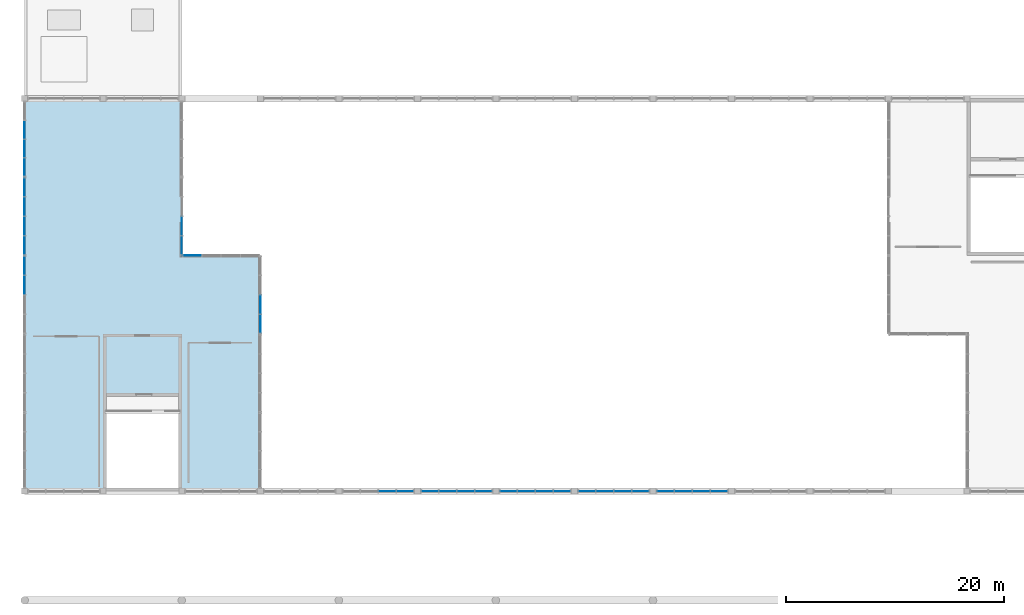
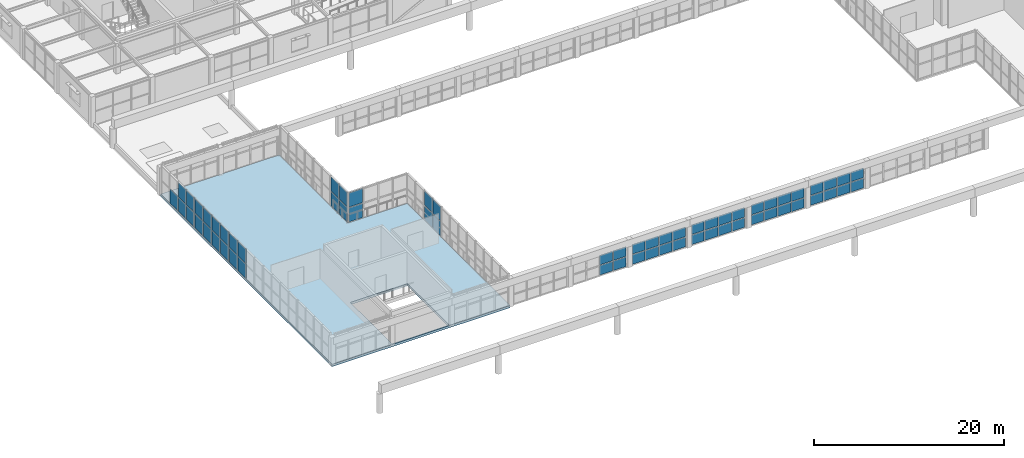
# One storey, part 51 of 83: 63 plates, 1 slab, 11 elements without a shape of their own.
"""IFC4 building model written with IfcOpenShell, lengths in metres."""

from ifc_helpers import new_model, si_unit, direction, frame, origin, origin_2d, place, context, subcontext, project, spatial, polyline, rectangle, outline, extrude, material, layer, layer_set, type_object, element, aggregate, save


model = new_model("IFC4")

# Units and contexts
model_context = context("Model", 3, precision=1e-05, world=origin(), true_north=direction((0.0, 1.0)))
body_context = subcontext(model_context, "Body", "Model", "MODEL_VIEW")
ifc_project = project(units=[si_unit("LENGTHUNIT", "METRE"), si_unit("AREAUNIT", "SQUARE_METRE"), si_unit("VOLUMEUNIT", "CUBIC_METRE"), si_unit("PLANEANGLEUNIT", "RADIAN"), si_unit("MASSUNIT", "GRAM", prefix="KILO")], contexts=[model_context])

# Site, building, storey
site_placement = place(None, origin())
site = spatial("IfcSite", under=ifc_project, at=site_placement, CompositionType="ELEMENT")
building_placement = place(site_placement, origin())
building = spatial("IfcBuilding", under=site, at=building_placement, Name="Leyfeld Transit Interchange", CompositionType="ELEMENT")
storey_placement = place(building_placement, frame((0.0, 0.0, 5.39990234375)))
storey = spatial("IfcBuildingStorey", under=building, at=storey_placement, Name="L01", CompositionType="ELEMENT", Elevation=5.39990234375)

# Curtain wall, plates
ifc_material_1 = material(Name="Anodised aluminium EN AW-6060 T66", Category="aluminium")
curtain_wall_type = type_object("IfcCurtainWallType", Name="CW-SYS-ARC-7200", PredefinedType="NOTDEFINED", material=ifc_material_1)
curtain_wall_1_placement = place(storey_placement, origin())
curtain_wall_1 = element("IfcCurtainWall", 1, at=curtain_wall_1_placement, inside=storey, type_object=curtain_wall_type, Name="Curtain Wall CW-L01-054", PredefinedType="NOTDEFINED")
ifc_material_2 = material(Name="Triple low-E insulated glazing", Category="glass")
ifc_layer_1 = layer(ifc_material_2, 0.0439453125, Name="Triple low-E insulated glazing")
ifc_layer_set_1 = layer_set([ifc_layer_1], Name="Triple low-E insulated glazing")
plate_type = type_object("IfcPlateType", Name="CW-PNL-GLZ-44", PredefinedType="CURTAIN_PANEL", material=ifc_layer_set_1)
plate_1_placement = place(storey_placement, frame((0.0, 33.29248046875, 0.08349609375), z_axis=(0.0, 0.0, 1.0), x_axis=(0.0, 1.0, 0.0)))
plate_1 = element("IfcPlate", 2, at=plate_1_placement, type_object=plate_type, Name="Glazed Curtain Panel CW-L01-054-P03_1", PredefinedType="CURTAIN_PANEL", context=body_context, shape_type="SweptSolid", body=[
    extrude(rectangle(XDim=1.702880859375, YDim=0.0439453125, at=origin_2d()), origin(), (0.0, 0.0, 1.0), 1.825439453125),
])
plate_2_placement = place(storey_placement, frame((0.0, 33.29248046875, 1.9912109375), z_axis=(0.0, 0.0, 1.0), x_axis=(0.0, 1.0, 0.0)))
plate_2 = element("IfcPlate", 3, at=plate_2_placement, type_object=plate_type, Name="Glazed Curtain Panel CW-L01-054-P03_2", PredefinedType="CURTAIN_PANEL", context=body_context, shape_type="SweptSolid", body=[
    extrude(rectangle(XDim=1.702880859375, YDim=0.0439453125, at=origin_2d()), origin(), (0.0, 0.0, 1.0), 1.825439453125),
])
plate_3_placement = place(storey_placement, frame((0.0, 35.05615234375, 0.08349609375), z_axis=(0.0, 0.0, 1.0), x_axis=(0.0, 1.0, 0.0)))
plate_3 = element("IfcPlate", 4, at=plate_3_placement, type_object=plate_type, Name="Glazed Curtain Panel CW-L01-054-P04_1", PredefinedType="CURTAIN_PANEL", context=body_context, shape_type="SweptSolid", body=[
    extrude(rectangle(XDim=1.660400390625, YDim=0.0439453125, at=origin_2d()), origin(), (0.0, 0.0, 1.0), 1.825439453125),
])
plate_4_placement = place(storey_placement, frame((0.0, 35.05615234375, 1.9912109375), z_axis=(0.0, 0.0, 1.0), x_axis=(0.0, 1.0, 0.0)))
plate_4 = element("IfcPlate", 5, at=plate_4_placement, type_object=plate_type, Name="Glazed Curtain Panel CW-L01-054-P04_2", PredefinedType="CURTAIN_PANEL", context=body_context, shape_type="SweptSolid", body=[
    extrude(rectangle(XDim=1.660400390625, YDim=0.0439453125, at=origin_2d()), origin(), (0.0, 0.0, 1.0), 1.825439453125),
])
aggregate(curtain_wall_1, [plate_1, plate_2, plate_3, plate_4])

curtain_wall_2_placement = place(storey_placement, origin())
curtain_wall_2 = element("IfcCurtainWall", 6, at=curtain_wall_2_placement, inside=storey, type_object=curtain_wall_type, Name="Curtain Wall CW-L01-055", PredefinedType="NOTDEFINED")
plate_5_placement = place(storey_placement, frame((0.0, 36.94384765625, 0.08349609375), z_axis=(0.0, 0.0, 1.0), x_axis=(0.0, 1.0, 0.0)))
plate_5 = element("IfcPlate", 7, at=plate_5_placement, type_object=plate_type, Name="Glazed Curtain Panel CW-L01-055-P01_1", PredefinedType="CURTAIN_PANEL", context=body_context, shape_type="SweptSolid", body=[
    extrude(rectangle(XDim=1.660400390625, YDim=0.0439453125, at=origin_2d()), origin(), (0.0, 0.0, 1.0), 1.825439453125),
])
plate_6_placement = place(storey_placement, frame((0.0, 36.94384765625, 1.9912109375), z_axis=(0.0, 0.0, 1.0), x_axis=(0.0, 1.0, 0.0)))
plate_6 = element("IfcPlate", 8, at=plate_6_placement, type_object=plate_type, Name="Glazed Curtain Panel CW-L01-055-P01_2", PredefinedType="CURTAIN_PANEL", context=body_context, shape_type="SweptSolid", body=[
    extrude(rectangle(XDim=1.660400390625, YDim=0.0439453125, at=origin_2d()), origin(), (0.0, 0.0, 1.0), 1.825439453125),
])
plate_7_placement = place(storey_placement, frame((0.0, 38.70751953125, 0.08349609375), z_axis=(0.0, 0.0, 1.0), x_axis=(0.0, 1.0, 0.0)))
plate_7 = element("IfcPlate", 9, at=plate_7_placement, type_object=plate_type, Name="Glazed Curtain Panel CW-L01-055-P02_1", PredefinedType="CURTAIN_PANEL", context=body_context, shape_type="SweptSolid", body=[
    extrude(rectangle(XDim=1.702880859375, YDim=0.0439453125, at=origin_2d()), origin(), (0.0, 0.0, 1.0), 1.825439453125),
])
plate_8_placement = place(storey_placement, frame((0.0, 38.70751953125, 1.9912109375), z_axis=(0.0, 0.0, 1.0), x_axis=(0.0, 1.0, 0.0)))
plate_8 = element("IfcPlate", 10, at=plate_8_placement, type_object=plate_type, Name="Glazed Curtain Panel CW-L01-055-P02_2", PredefinedType="CURTAIN_PANEL", context=body_context, shape_type="SweptSolid", body=[
    extrude(rectangle(XDim=1.702880859375, YDim=0.0439453125, at=origin_2d()), origin(), (0.0, 0.0, 1.0), 1.825439453125),
])
plate_9_placement = place(storey_placement, frame((0.0, 40.492431640625, 0.08349609375), z_axis=(0.0, 0.0, 1.0), x_axis=(0.0, 1.0, 0.0)))
plate_9 = element("IfcPlate", 11, at=plate_9_placement, type_object=plate_type, Name="Glazed Curtain Panel CW-L01-055-P03_1", PredefinedType="CURTAIN_PANEL", context=body_context, shape_type="SweptSolid", body=[
    extrude(rectangle(XDim=1.702880859375, YDim=0.0439453125, at=origin_2d()), origin(), (0.0, 0.0, 1.0), 1.825439453125),
])
plate_10_placement = place(storey_placement, frame((0.0, 40.492431640625, 1.9912109375), z_axis=(0.0, 0.0, 1.0), x_axis=(0.0, 1.0, 0.0)))
plate_10 = element("IfcPlate", 12, at=plate_10_placement, type_object=plate_type, Name="Glazed Curtain Panel CW-L01-055-P03_2", PredefinedType="CURTAIN_PANEL", context=body_context, shape_type="SweptSolid", body=[
    extrude(rectangle(XDim=1.702880859375, YDim=0.0439453125, at=origin_2d()), origin(), (0.0, 0.0, 1.0), 1.825439453125),
])
plate_11_placement = place(storey_placement, frame((0.0, 42.25634765625, 0.08349609375), z_axis=(0.0, 0.0, 1.0), x_axis=(0.0, 1.0, 0.0)))
plate_11 = element("IfcPlate", 13, at=plate_11_placement, type_object=plate_type, Name="Glazed Curtain Panel CW-L01-055-P04_1", PredefinedType="CURTAIN_PANEL", context=body_context, shape_type="SweptSolid", body=[
    extrude(rectangle(XDim=1.660400390625, YDim=0.0439453125, at=origin_2d()), origin(), (0.0, 0.0, 1.0), 1.825439453125),
])
plate_12_placement = place(storey_placement, frame((0.0, 42.25634765625, 1.9912109375), z_axis=(0.0, 0.0, 1.0), x_axis=(0.0, 1.0, 0.0)))
plate_12 = element("IfcPlate", 14, at=plate_12_placement, type_object=plate_type, Name="Glazed Curtain Panel CW-L01-055-P04_2", PredefinedType="CURTAIN_PANEL", context=body_context, shape_type="SweptSolid", body=[
    extrude(rectangle(XDim=1.660400390625, YDim=0.0439453125, at=origin_2d()), origin(), (0.0, 0.0, 1.0), 1.825439453125),
])
aggregate(curtain_wall_2, [plate_5, plate_6, plate_7, plate_8, plate_9, plate_10, plate_11, plate_12])

curtain_wall_3_placement = place(storey_placement, origin())
curtain_wall_3 = element("IfcCurtainWall", 15, at=curtain_wall_3_placement, inside=storey, type_object=curtain_wall_type, Name="Curtain Wall CW-L01-056", PredefinedType="NOTDEFINED")
plate_13_placement = place(storey_placement, frame((0.0, 44.114501953125, 0.08349609375), z_axis=(0.0, 0.0, 1.0), x_axis=(0.0, 1.0, 0.0)))
plate_13 = element("IfcPlate", 16, at=plate_13_placement, type_object=plate_type, Name="Glazed Curtain Panel CW-L01-056-P01_1", PredefinedType="CURTAIN_PANEL", context=body_context, shape_type="SweptSolid", body=[
    extrude(rectangle(XDim=1.601806640625, YDim=0.0439453125, at=origin_2d()), origin(), (0.0, 0.0, 1.0), 1.825439453125),
])
plate_14_placement = place(storey_placement, frame((0.0, 44.114501953125, 1.9912109375), z_axis=(0.0, 0.0, 1.0), x_axis=(0.0, 1.0, 0.0)))
plate_14 = element("IfcPlate", 17, at=plate_14_placement, type_object=plate_type, Name="Glazed Curtain Panel CW-L01-056-P01_2", PredefinedType="CURTAIN_PANEL", context=body_context, shape_type="SweptSolid", body=[
    extrude(rectangle(XDim=1.601806640625, YDim=0.0439453125, at=origin_2d()), origin(), (0.0, 0.0, 1.0), 1.825439453125),
])
plate_15_placement = place(storey_placement, frame((0.0, 45.8193359375, 0.08349609375), z_axis=(0.0, 0.0, 1.0), x_axis=(0.0, 1.0, 0.0)))
plate_15 = element("IfcPlate", 18, at=plate_15_placement, type_object=plate_type, Name="Glazed Curtain Panel CW-L01-056-P02_1", PredefinedType="CURTAIN_PANEL", context=body_context, shape_type="SweptSolid", body=[
    extrude(rectangle(XDim=1.644287109375, YDim=0.0439453125, at=origin_2d()), origin(), (0.0, 0.0, 1.0), 1.825439453125),
])
plate_16_placement = place(storey_placement, frame((0.0, 45.8193359375, 1.9912109375), z_axis=(0.0, 0.0, 1.0), x_axis=(0.0, 1.0, 0.0)))
plate_16 = element("IfcPlate", 19, at=plate_16_placement, type_object=plate_type, Name="Glazed Curtain Panel CW-L01-056-P02_2", PredefinedType="CURTAIN_PANEL", context=body_context, shape_type="SweptSolid", body=[
    extrude(rectangle(XDim=1.644287109375, YDim=0.0439453125, at=origin_2d()), origin(), (0.0, 0.0, 1.0), 1.825439453125),
])
plate_17_placement = place(storey_placement, frame((0.0, 47.545654296875, 0.08349609375), z_axis=(0.0, 0.0, 1.0), x_axis=(0.0, 1.0, 0.0)))
plate_17 = element("IfcPlate", 20, at=plate_17_placement, type_object=plate_type, Name="Glazed Curtain Panel CW-L01-056-P03_1", PredefinedType="CURTAIN_PANEL", context=body_context, shape_type="SweptSolid", body=[
    extrude(rectangle(XDim=1.644287109375, YDim=0.0439453125, at=origin_2d()), origin(), (0.0, 0.0, 1.0), 1.825439453125),
])
aggregate(curtain_wall_3, [plate_13, plate_14, plate_15, plate_16, plate_17])

curtain_wall_4_placement = place(storey_placement, origin())
curtain_wall_4 = element("IfcCurtainWall", 21, at=curtain_wall_4_placement, inside=storey, type_object=curtain_wall_type, Name="Curtain Wall CW-L01-060", PredefinedType="NOTDEFINED")
plate_18_placement = place(storey_placement, frame((14.39990234375, 38.70751953125, 0.08349609375), z_axis=(0.0, 0.0, 1.0), x_axis=(0.0, -1.0, 0.0)))
plate_18 = element("IfcPlate", 22, at=plate_18_placement, type_object=plate_type, Name="Glazed Curtain Panel CW-L01-060-P03_1", PredefinedType="CURTAIN_PANEL", context=body_context, shape_type="SweptSolid", body=[
    extrude(rectangle(XDim=1.702880859375, YDim=0.0439453125, at=origin_2d()), origin(), (0.0, 0.0, 1.0), 1.825439453125),
])
plate_19_placement = place(storey_placement, frame((14.39990234375, 38.70751953125, 1.9912109375), z_axis=(0.0, 0.0, 1.0), x_axis=(0.0, -1.0, 0.0)))
plate_19 = element("IfcPlate", 23, at=plate_19_placement, type_object=plate_type, Name="Glazed Curtain Panel CW-L01-060-P03_2", PredefinedType="CURTAIN_PANEL", context=body_context, shape_type="SweptSolid", body=[
    extrude(rectangle(XDim=1.702880859375, YDim=0.0439453125, at=origin_2d()), origin(), (0.0, 0.0, 1.0), 1.825439453125),
])
plate_20_placement = place(storey_placement, frame((14.39990234375, 36.94384765625, 0.08349609375), z_axis=(0.0, 0.0, 1.0), x_axis=(0.0, -1.0, 0.0)))
plate_20 = element("IfcPlate", 24, at=plate_20_placement, type_object=plate_type, Name="Glazed Curtain Panel CW-L01-060-P04_1", PredefinedType="CURTAIN_PANEL", context=body_context, shape_type="SweptSolid", body=[
    extrude(rectangle(XDim=1.660400390625, YDim=0.0439453125, at=origin_2d()), origin(), (0.0, 0.0, 1.0), 1.825439453125),
])
plate_21_placement = place(storey_placement, frame((14.39990234375, 36.94384765625, 1.9912109375), z_axis=(0.0, 0.0, 1.0), x_axis=(0.0, -1.0, 0.0)))
plate_21 = element("IfcPlate", 25, at=plate_21_placement, type_object=plate_type, Name="Glazed Curtain Panel CW-L01-060-P04_2", PredefinedType="CURTAIN_PANEL", context=body_context, shape_type="SweptSolid", body=[
    extrude(rectangle(XDim=1.660400390625, YDim=0.0439453125, at=origin_2d()), origin(), (0.0, 0.0, 1.0), 1.825439453125),
])
aggregate(curtain_wall_4, [plate_18, plate_19, plate_20, plate_21])

curtain_wall_5_placement = place(storey_placement, origin())
curtain_wall_5 = element("IfcCurtainWall", 26, at=curtain_wall_5_placement, inside=storey, type_object=curtain_wall_type, Name="Curtain Wall CW-L01-061", PredefinedType="NOTDEFINED")
plate_22_placement = place(storey_placement, frame((15.34375, 36.0, 0.08349609375), z_axis=(0.0, 0.0, 1.0), x_axis=(1.0, 0.0, 0.0)))
plate_22 = element("IfcPlate", 27, at=plate_22_placement, type_object=plate_type, Name="Glazed Curtain Panel CW-L01-061-P01_1", PredefinedType="CURTAIN_PANEL", context=body_context, shape_type="SweptSolid", body=[
    extrude(rectangle(XDim=1.660400390625, YDim=0.0439453125, at=origin_2d()), origin(), (0.0, 0.0, 1.0), 1.825439453125),
])
plate_23_placement = place(storey_placement, frame((15.34375, 36.0, 1.9912109375), z_axis=(0.0, 0.0, 1.0), x_axis=(1.0, 0.0, 0.0)))
plate_23 = element("IfcPlate", 28, at=plate_23_placement, type_object=plate_type, Name="Glazed Curtain Panel CW-L01-061-P01_2", PredefinedType="CURTAIN_PANEL", context=body_context, shape_type="SweptSolid", body=[
    extrude(rectangle(XDim=1.660400390625, YDim=0.0439453125, at=origin_2d()), origin(), (0.0, 0.0, 1.0), 1.825439453125),
])
aggregate(curtain_wall_5, [plate_22, plate_23])

curtain_wall_6_placement = place(storey_placement, origin())
curtain_wall_6 = element("IfcCurtainWall", 29, at=curtain_wall_6_placement, inside=storey, type_object=curtain_wall_type, Name="Curtain Wall CW-L01-062", PredefinedType="NOTDEFINED")
plate_24_placement = place(storey_placement, frame((21.60009765625, 31.507568359375, 0.08349609375), z_axis=(0.0, 0.0, 1.0), x_axis=(0.0, -1.0, 0.0)))
plate_24 = element("IfcPlate", 30, at=plate_24_placement, type_object=plate_type, Name="Glazed Curtain Panel CW-L01-062-P03_1", PredefinedType="CURTAIN_PANEL", context=body_context, shape_type="SweptSolid", body=[
    extrude(rectangle(XDim=1.702880859375, YDim=0.0439453125, at=origin_2d()), origin(), (0.0, 0.0, 1.0), 1.825439453125),
])
plate_25_placement = place(storey_placement, frame((21.60009765625, 31.507568359375, 1.9912109375), z_axis=(0.0, 0.0, 1.0), x_axis=(0.0, -1.0, 0.0)))
plate_25 = element("IfcPlate", 31, at=plate_25_placement, type_object=plate_type, Name="Glazed Curtain Panel CW-L01-062-P03_2", PredefinedType="CURTAIN_PANEL", context=body_context, shape_type="SweptSolid", body=[
    extrude(rectangle(XDim=1.702880859375, YDim=0.0439453125, at=origin_2d()), origin(), (0.0, 0.0, 1.0), 1.825439453125),
])
plate_26_placement = place(storey_placement, frame((21.60009765625, 29.74365234375, 0.08349609375), z_axis=(0.0, 0.0, 1.0), x_axis=(0.0, -1.0, 0.0)))
plate_26 = element("IfcPlate", 32, at=plate_26_placement, type_object=plate_type, Name="Glazed Curtain Panel CW-L01-062-P04_1", PredefinedType="CURTAIN_PANEL", context=body_context, shape_type="SweptSolid", body=[
    extrude(rectangle(XDim=1.660400390625, YDim=0.0439453125, at=origin_2d()), origin(), (0.0, 0.0, 1.0), 1.825439453125),
])
plate_27_placement = place(storey_placement, frame((21.60009765625, 29.74365234375, 1.9912109375), z_axis=(0.0, 0.0, 1.0), x_axis=(0.0, -1.0, 0.0)))
plate_27 = element("IfcPlate", 33, at=plate_27_placement, type_object=plate_type, Name="Glazed Curtain Panel CW-L01-062-P04_2", PredefinedType="CURTAIN_PANEL", context=body_context, shape_type="SweptSolid", body=[
    extrude(rectangle(XDim=1.660400390625, YDim=0.0439453125, at=origin_2d()), origin(), (0.0, 0.0, 1.0), 1.825439453125),
])
aggregate(curtain_wall_6, [plate_24, plate_25, plate_26, plate_27])

curtain_wall_7_placement = place(storey_placement, origin())
curtain_wall_7 = element("IfcCurtainWall", 34, at=curtain_wall_7_placement, inside=storey, type_object=curtain_wall_type, Name="Curtain Wall CW-L01-CLR-153", PredefinedType="NOTDEFINED")
plate_28_placement = place(storey_placement, frame((33.22509765625, 14.39990234375, 0.08349609375), z_axis=(0.0, 0.0, 1.0), x_axis=(1.0, 0.0, 0.0)))
plate_28 = element("IfcPlate", 35, at=plate_28_placement, type_object=plate_type, Name="Glazed Curtain Panel CW-L01-CLR-153-P03_1", PredefinedType="CURTAIN_PANEL", context=body_context, shape_type="SweptSolid", body=[
    extrude(rectangle(XDim=1.568115234375, YDim=0.0439453125, at=origin_2d()), origin(), (0.0, 0.0, 1.0), 1.2255859375),
])
plate_29_placement = place(storey_placement, frame((33.22509765625, 14.39990234375, 1.39111328125), z_axis=(0.0, 0.0, 1.0), x_axis=(1.0, 0.0, 0.0)))
plate_29 = element("IfcPlate", 36, at=plate_29_placement, type_object=plate_type, Name="Glazed Curtain Panel CW-L01-CLR-153-P03_2", PredefinedType="CURTAIN_PANEL", context=body_context, shape_type="SweptSolid", body=[
    extrude(rectangle(XDim=1.568115234375, YDim=0.0439453125, at=origin_2d()), origin(), (0.0, 0.0, 1.0), 1.2255859375),
])
plate_30_placement = place(storey_placement, frame((34.853759765625, 14.39990234375, 0.08349609375), z_axis=(0.0, 0.0, 1.0), x_axis=(1.0, 0.0, 0.0)))
plate_30 = element("IfcPlate", 37, at=plate_30_placement, type_object=plate_type, Name="Glazed Curtain Panel CW-L01-CLR-153-P04_1", PredefinedType="CURTAIN_PANEL", context=body_context, shape_type="SweptSolid", body=[
    extrude(rectangle(XDim=1.525390625, YDim=0.0439453125, at=origin_2d()), origin(), (0.0, 0.0, 1.0), 1.2255859375),
])
plate_31_placement = place(storey_placement, frame((34.853759765625, 14.39990234375, 1.39111328125), z_axis=(0.0, 0.0, 1.0), x_axis=(1.0, 0.0, 0.0)))
plate_31 = element("IfcPlate", 38, at=plate_31_placement, type_object=plate_type, Name="Glazed Curtain Panel CW-L01-CLR-153-P04_2", PredefinedType="CURTAIN_PANEL", context=body_context, shape_type="SweptSolid", body=[
    extrude(rectangle(XDim=1.525390625, YDim=0.0439453125, at=origin_2d()), origin(), (0.0, 0.0, 1.0), 1.2255859375),
])
aggregate(curtain_wall_7, [plate_28, plate_29, plate_30, plate_31])

curtain_wall_8_placement = place(storey_placement, origin())
curtain_wall_8 = element("IfcCurtainWall", 39, at=curtain_wall_8_placement, inside=storey, type_object=curtain_wall_type, Name="Curtain Wall CW-L01-CLR-154", PredefinedType="NOTDEFINED")
plate_32_placement = place(storey_placement, frame((37.146240234375, 14.39990234375, 0.08349609375), z_axis=(0.0, 0.0, 1.0), x_axis=(1.0, 0.0, 0.0)))
plate_32 = element("IfcPlate", 40, at=plate_32_placement, type_object=plate_type, Name="Glazed Curtain Panel CW-L01-CLR-154-P01_1", PredefinedType="CURTAIN_PANEL", context=body_context, shape_type="SweptSolid", body=[
    extrude(rectangle(XDim=1.525390625, YDim=0.0439453125, at=origin_2d()), origin(), (0.0, 0.0, 1.0), 1.2255859375),
])
plate_33_placement = place(storey_placement, frame((37.146240234375, 14.39990234375, 1.39111328125), z_axis=(0.0, 0.0, 1.0), x_axis=(1.0, 0.0, 0.0)))
plate_33 = element("IfcPlate", 41, at=plate_33_placement, type_object=plate_type, Name="Glazed Curtain Panel CW-L01-CLR-154-P01_2", PredefinedType="CURTAIN_PANEL", context=body_context, shape_type="SweptSolid", body=[
    extrude(rectangle(XDim=1.525390625, YDim=0.0439453125, at=origin_2d()), origin(), (0.0, 0.0, 1.0), 1.2255859375),
])
plate_34_placement = place(storey_placement, frame((38.77490234375, 14.39990234375, 0.08349609375), z_axis=(0.0, 0.0, 1.0), x_axis=(1.0, 0.0, 0.0)))
plate_34 = element("IfcPlate", 42, at=plate_34_placement, type_object=plate_type, Name="Glazed Curtain Panel CW-L01-CLR-154-P02_1", PredefinedType="CURTAIN_PANEL", context=body_context, shape_type="SweptSolid", body=[
    extrude(rectangle(XDim=1.568115234375, YDim=0.0439453125, at=origin_2d()), origin(), (0.0, 0.0, 1.0), 1.2255859375),
])
plate_35_placement = place(storey_placement, frame((38.77490234375, 14.39990234375, 1.39111328125), z_axis=(0.0, 0.0, 1.0), x_axis=(1.0, 0.0, 0.0)))
plate_35 = element("IfcPlate", 43, at=plate_35_placement, type_object=plate_type, Name="Glazed Curtain Panel CW-L01-CLR-154-P02_2", PredefinedType="CURTAIN_PANEL", context=body_context, shape_type="SweptSolid", body=[
    extrude(rectangle(XDim=1.568115234375, YDim=0.0439453125, at=origin_2d()), origin(), (0.0, 0.0, 1.0), 1.2255859375),
])
plate_36_placement = place(storey_placement, frame((40.425048828125, 14.39990234375, 0.08349609375), z_axis=(0.0, 0.0, 1.0), x_axis=(1.0, 0.0, 0.0)))
plate_36 = element("IfcPlate", 44, at=plate_36_placement, type_object=plate_type, Name="Glazed Curtain Panel CW-L01-CLR-154-P03_1", PredefinedType="CURTAIN_PANEL", context=body_context, shape_type="SweptSolid", body=[
    extrude(rectangle(XDim=1.568115234375, YDim=0.0439453125, at=origin_2d()), origin(), (0.0, 0.0, 1.0), 1.2255859375),
])
plate_37_placement = place(storey_placement, frame((40.425048828125, 14.39990234375, 1.39111328125), z_axis=(0.0, 0.0, 1.0), x_axis=(1.0, 0.0, 0.0)))
plate_37 = element("IfcPlate", 45, at=plate_37_placement, type_object=plate_type, Name="Glazed Curtain Panel CW-L01-CLR-154-P03_2", PredefinedType="CURTAIN_PANEL", context=body_context, shape_type="SweptSolid", body=[
    extrude(rectangle(XDim=1.568115234375, YDim=0.0439453125, at=origin_2d()), origin(), (0.0, 0.0, 1.0), 1.2255859375),
])
plate_38_placement = place(storey_placement, frame((42.0537109375, 14.39990234375, 0.08349609375), z_axis=(0.0, 0.0, 1.0), x_axis=(1.0, 0.0, 0.0)))
plate_38 = element("IfcPlate", 46, at=plate_38_placement, type_object=plate_type, Name="Glazed Curtain Panel CW-L01-CLR-154-P04_1", PredefinedType="CURTAIN_PANEL", context=body_context, shape_type="SweptSolid", body=[
    extrude(rectangle(XDim=1.525390625, YDim=0.0439453125, at=origin_2d()), origin(), (0.0, 0.0, 1.0), 1.2255859375),
])
plate_39_placement = place(storey_placement, frame((42.0537109375, 14.39990234375, 1.39111328125), z_axis=(0.0, 0.0, 1.0), x_axis=(1.0, 0.0, 0.0)))
plate_39 = element("IfcPlate", 47, at=plate_39_placement, type_object=plate_type, Name="Glazed Curtain Panel CW-L01-CLR-154-P04_2", PredefinedType="CURTAIN_PANEL", context=body_context, shape_type="SweptSolid", body=[
    extrude(rectangle(XDim=1.525390625, YDim=0.0439453125, at=origin_2d()), origin(), (0.0, 0.0, 1.0), 1.2255859375),
])
aggregate(curtain_wall_8, [plate_32, plate_33, plate_34, plate_35, plate_36, plate_37, plate_38, plate_39])

curtain_wall_9_placement = place(storey_placement, origin())
curtain_wall_9 = element("IfcCurtainWall", 48, at=curtain_wall_9_placement, inside=storey, type_object=curtain_wall_type, Name="Curtain Wall CW-L01-CLR-155", PredefinedType="NOTDEFINED")
plate_40_placement = place(storey_placement, frame((44.34619140625, 14.39990234375, 0.08349609375), z_axis=(0.0, 0.0, 1.0), x_axis=(1.0, 0.0, 0.0)))
plate_40 = element("IfcPlate", 49, at=plate_40_placement, type_object=plate_type, Name="Glazed Curtain Panel CW-L01-CLR-155-P01_1", PredefinedType="CURTAIN_PANEL", context=body_context, shape_type="SweptSolid", body=[
    extrude(rectangle(XDim=1.525390625, YDim=0.0439453125, at=origin_2d()), origin(), (0.0, 0.0, 1.0), 1.2255859375),
])
plate_41_placement = place(storey_placement, frame((44.34619140625, 14.39990234375, 1.39111328125), z_axis=(0.0, 0.0, 1.0), x_axis=(1.0, 0.0, 0.0)))
plate_41 = element("IfcPlate", 50, at=plate_41_placement, type_object=plate_type, Name="Glazed Curtain Panel CW-L01-CLR-155-P01_2", PredefinedType="CURTAIN_PANEL", context=body_context, shape_type="SweptSolid", body=[
    extrude(rectangle(XDim=1.525390625, YDim=0.0439453125, at=origin_2d()), origin(), (0.0, 0.0, 1.0), 1.2255859375),
])
plate_42_placement = place(storey_placement, frame((45.97509765625, 14.39990234375, 0.08349609375), z_axis=(0.0, 0.0, 1.0), x_axis=(1.0, 0.0, 0.0)))
plate_42 = element("IfcPlate", 51, at=plate_42_placement, type_object=plate_type, Name="Glazed Curtain Panel CW-L01-CLR-155-P02_1", PredefinedType="CURTAIN_PANEL", context=body_context, shape_type="SweptSolid", body=[
    extrude(rectangle(XDim=1.568115234375, YDim=0.0439453125, at=origin_2d()), origin(), (0.0, 0.0, 1.0), 1.2255859375),
])
plate_43_placement = place(storey_placement, frame((45.97509765625, 14.39990234375, 1.39111328125), z_axis=(0.0, 0.0, 1.0), x_axis=(1.0, 0.0, 0.0)))
plate_43 = element("IfcPlate", 52, at=plate_43_placement, type_object=plate_type, Name="Glazed Curtain Panel CW-L01-CLR-155-P02_2", PredefinedType="CURTAIN_PANEL", context=body_context, shape_type="SweptSolid", body=[
    extrude(rectangle(XDim=1.568115234375, YDim=0.0439453125, at=origin_2d()), origin(), (0.0, 0.0, 1.0), 1.2255859375),
])
plate_44_placement = place(storey_placement, frame((47.625, 14.39990234375, 0.08349609375), z_axis=(0.0, 0.0, 1.0), x_axis=(1.0, 0.0, 0.0)))
plate_44 = element("IfcPlate", 53, at=plate_44_placement, type_object=plate_type, Name="Glazed Curtain Panel CW-L01-CLR-155-P03_1", PredefinedType="CURTAIN_PANEL", context=body_context, shape_type="SweptSolid", body=[
    extrude(rectangle(XDim=1.568115234375, YDim=0.0439453125, at=origin_2d()), origin(), (0.0, 0.0, 1.0), 1.2255859375),
])
plate_45_placement = place(storey_placement, frame((47.625, 14.39990234375, 1.39111328125), z_axis=(0.0, 0.0, 1.0), x_axis=(1.0, 0.0, 0.0)))
plate_45 = element("IfcPlate", 54, at=plate_45_placement, type_object=plate_type, Name="Glazed Curtain Panel CW-L01-CLR-155-P03_2", PredefinedType="CURTAIN_PANEL", context=body_context, shape_type="SweptSolid", body=[
    extrude(rectangle(XDim=1.568115234375, YDim=0.0439453125, at=origin_2d()), origin(), (0.0, 0.0, 1.0), 1.2255859375),
])
plate_46_placement = place(storey_placement, frame((49.253662109375, 14.39990234375, 0.08349609375), z_axis=(0.0, 0.0, 1.0), x_axis=(1.0, 0.0, 0.0)))
plate_46 = element("IfcPlate", 55, at=plate_46_placement, type_object=plate_type, Name="Glazed Curtain Panel CW-L01-CLR-155-P04_1", PredefinedType="CURTAIN_PANEL", context=body_context, shape_type="SweptSolid", body=[
    extrude(rectangle(XDim=1.525390625, YDim=0.0439453125, at=origin_2d()), origin(), (0.0, 0.0, 1.0), 1.2255859375),
])
plate_47_placement = place(storey_placement, frame((49.253662109375, 14.39990234375, 1.39111328125), z_axis=(0.0, 0.0, 1.0), x_axis=(1.0, 0.0, 0.0)))
plate_47 = element("IfcPlate", 56, at=plate_47_placement, type_object=plate_type, Name="Glazed Curtain Panel CW-L01-CLR-155-P04_2", PredefinedType="CURTAIN_PANEL", context=body_context, shape_type="SweptSolid", body=[
    extrude(rectangle(XDim=1.525390625, YDim=0.0439453125, at=origin_2d()), origin(), (0.0, 0.0, 1.0), 1.2255859375),
])
aggregate(curtain_wall_9, [plate_40, plate_41, plate_42, plate_43, plate_44, plate_45, plate_46, plate_47])

curtain_wall_10_placement = place(storey_placement, origin())
curtain_wall_10 = element("IfcCurtainWall", 57, at=curtain_wall_10_placement, inside=storey, type_object=curtain_wall_type, Name="Curtain Wall CW-L01-CLR-156", PredefinedType="NOTDEFINED")
plate_48_placement = place(storey_placement, frame((51.546142578125, 14.39990234375, 0.08349609375), z_axis=(0.0, 0.0, 1.0), x_axis=(1.0, 0.0, 0.0)))
plate_48 = element("IfcPlate", 58, at=plate_48_placement, type_object=plate_type, Name="Glazed Curtain Panel CW-L01-CLR-156-P01_1", PredefinedType="CURTAIN_PANEL", context=body_context, shape_type="SweptSolid", body=[
    extrude(rectangle(XDim=1.525390625, YDim=0.0439453125, at=origin_2d()), origin(), (0.0, 0.0, 1.0), 1.2255859375),
])
plate_49_placement = place(storey_placement, frame((51.546142578125, 14.39990234375, 1.39111328125), z_axis=(0.0, 0.0, 1.0), x_axis=(1.0, 0.0, 0.0)))
plate_49 = element("IfcPlate", 59, at=plate_49_placement, type_object=plate_type, Name="Glazed Curtain Panel CW-L01-CLR-156-P01_2", PredefinedType="CURTAIN_PANEL", context=body_context, shape_type="SweptSolid", body=[
    extrude(rectangle(XDim=1.525390625, YDim=0.0439453125, at=origin_2d()), origin(), (0.0, 0.0, 1.0), 1.2255859375),
])
plate_50_placement = place(storey_placement, frame((53.175048828125, 14.39990234375, 0.08349609375), z_axis=(0.0, 0.0, 1.0), x_axis=(1.0, 0.0, 0.0)))
plate_50 = element("IfcPlate", 60, at=plate_50_placement, type_object=plate_type, Name="Glazed Curtain Panel CW-L01-CLR-156-P02_1", PredefinedType="CURTAIN_PANEL", context=body_context, shape_type="SweptSolid", body=[
    extrude(rectangle(XDim=1.568115234375, YDim=0.0439453125, at=origin_2d()), origin(), (0.0, 0.0, 1.0), 1.2255859375),
])
plate_51_placement = place(storey_placement, frame((53.175048828125, 14.39990234375, 1.39111328125), z_axis=(0.0, 0.0, 1.0), x_axis=(1.0, 0.0, 0.0)))
plate_51 = element("IfcPlate", 61, at=plate_51_placement, type_object=plate_type, Name="Glazed Curtain Panel CW-L01-CLR-156-P02_2", PredefinedType="CURTAIN_PANEL", context=body_context, shape_type="SweptSolid", body=[
    extrude(rectangle(XDim=1.568115234375, YDim=0.0439453125, at=origin_2d()), origin(), (0.0, 0.0, 1.0), 1.2255859375),
])
plate_52_placement = place(storey_placement, frame((54.824951171875, 14.39990234375, 0.08349609375), z_axis=(0.0, 0.0, 1.0), x_axis=(1.0, 0.0, 0.0)))
plate_52 = element("IfcPlate", 62, at=plate_52_placement, type_object=plate_type, Name="Glazed Curtain Panel CW-L01-CLR-156-P03_1", PredefinedType="CURTAIN_PANEL", context=body_context, shape_type="SweptSolid", body=[
    extrude(rectangle(XDim=1.568115234375, YDim=0.0439453125, at=origin_2d()), origin(), (0.0, 0.0, 1.0), 1.2255859375),
])
plate_53_placement = place(storey_placement, frame((54.824951171875, 14.39990234375, 1.39111328125), z_axis=(0.0, 0.0, 1.0), x_axis=(1.0, 0.0, 0.0)))
plate_53 = element("IfcPlate", 63, at=plate_53_placement, type_object=plate_type, Name="Glazed Curtain Panel CW-L01-CLR-156-P03_2", PredefinedType="CURTAIN_PANEL", context=body_context, shape_type="SweptSolid", body=[
    extrude(rectangle(XDim=1.568115234375, YDim=0.0439453125, at=origin_2d()), origin(), (0.0, 0.0, 1.0), 1.2255859375),
])
plate_54_placement = place(storey_placement, frame((56.45361328125, 14.39990234375, 0.08349609375), z_axis=(0.0, 0.0, 1.0), x_axis=(1.0, 0.0, 0.0)))
plate_54 = element("IfcPlate", 64, at=plate_54_placement, type_object=plate_type, Name="Glazed Curtain Panel CW-L01-CLR-156-P04_1", PredefinedType="CURTAIN_PANEL", context=body_context, shape_type="SweptSolid", body=[
    extrude(rectangle(XDim=1.525390625, YDim=0.0439453125, at=origin_2d()), origin(), (0.0, 0.0, 1.0), 1.2255859375),
])
plate_55_placement = place(storey_placement, frame((56.45361328125, 14.39990234375, 1.39111328125), z_axis=(0.0, 0.0, 1.0), x_axis=(1.0, 0.0, 0.0)))
plate_55 = element("IfcPlate", 65, at=plate_55_placement, type_object=plate_type, Name="Glazed Curtain Panel CW-L01-CLR-156-P04_2", PredefinedType="CURTAIN_PANEL", context=body_context, shape_type="SweptSolid", body=[
    extrude(rectangle(XDim=1.525390625, YDim=0.0439453125, at=origin_2d()), origin(), (0.0, 0.0, 1.0), 1.2255859375),
])
aggregate(curtain_wall_10, [plate_48, plate_49, plate_50, plate_51, plate_52, plate_53, plate_54, plate_55])

curtain_wall_11_placement = place(storey_placement, origin())
curtain_wall_11 = element("IfcCurtainWall", 66, at=curtain_wall_11_placement, inside=storey, type_object=curtain_wall_type, Name="Curtain Wall CW-L01-CLR-157", PredefinedType="NOTDEFINED")
plate_56_placement = place(storey_placement, frame((58.74609375, 14.39990234375, 0.08349609375), z_axis=(0.0, 0.0, 1.0), x_axis=(1.0, 0.0, 0.0)))
plate_56 = element("IfcPlate", 67, at=plate_56_placement, type_object=plate_type, Name="Glazed Curtain Panel CW-L01-CLR-157-P01_1", PredefinedType="CURTAIN_PANEL", context=body_context, shape_type="SweptSolid", body=[
    extrude(rectangle(XDim=1.525390625, YDim=0.0439453125, at=origin_2d()), origin(), (0.0, 0.0, 1.0), 1.2255859375),
])
plate_57_placement = place(storey_placement, frame((58.74609375, 14.39990234375, 1.39111328125), z_axis=(0.0, 0.0, 1.0), x_axis=(1.0, 0.0, 0.0)))
plate_57 = element("IfcPlate", 68, at=plate_57_placement, type_object=plate_type, Name="Glazed Curtain Panel CW-L01-CLR-157-P01_2", PredefinedType="CURTAIN_PANEL", context=body_context, shape_type="SweptSolid", body=[
    extrude(rectangle(XDim=1.525390625, YDim=0.0439453125, at=origin_2d()), origin(), (0.0, 0.0, 1.0), 1.2255859375),
])
plate_58_placement = place(storey_placement, frame((60.375, 14.39990234375, 0.08349609375), z_axis=(0.0, 0.0, 1.0), x_axis=(1.0, 0.0, 0.0)))
plate_58 = element("IfcPlate", 69, at=plate_58_placement, type_object=plate_type, Name="Glazed Curtain Panel CW-L01-CLR-157-P02_1", PredefinedType="CURTAIN_PANEL", context=body_context, shape_type="SweptSolid", body=[
    extrude(rectangle(XDim=1.568115234375, YDim=0.0439453125, at=origin_2d()), origin(), (0.0, 0.0, 1.0), 1.2255859375),
])
plate_59_placement = place(storey_placement, frame((60.375, 14.39990234375, 1.39111328125), z_axis=(0.0, 0.0, 1.0), x_axis=(1.0, 0.0, 0.0)))
plate_59 = element("IfcPlate", 70, at=plate_59_placement, type_object=plate_type, Name="Glazed Curtain Panel CW-L01-CLR-157-P02_2", PredefinedType="CURTAIN_PANEL", context=body_context, shape_type="SweptSolid", body=[
    extrude(rectangle(XDim=1.568115234375, YDim=0.0439453125, at=origin_2d()), origin(), (0.0, 0.0, 1.0), 1.2255859375),
])
plate_60_placement = place(storey_placement, frame((62.02490234375, 14.39990234375, 0.08349609375), z_axis=(0.0, 0.0, 1.0), x_axis=(1.0, 0.0, 0.0)))
plate_60 = element("IfcPlate", 71, at=plate_60_placement, type_object=plate_type, Name="Glazed Curtain Panel CW-L01-CLR-157-P03_1", PredefinedType="CURTAIN_PANEL", context=body_context, shape_type="SweptSolid", body=[
    extrude(rectangle(XDim=1.568115234375, YDim=0.0439453125, at=origin_2d()), origin(), (0.0, 0.0, 1.0), 1.2255859375),
])
plate_61_placement = place(storey_placement, frame((62.02490234375, 14.39990234375, 1.39111328125), z_axis=(0.0, 0.0, 1.0), x_axis=(1.0, 0.0, 0.0)))
plate_61 = element("IfcPlate", 72, at=plate_61_placement, type_object=plate_type, Name="Glazed Curtain Panel CW-L01-CLR-157-P03_2", PredefinedType="CURTAIN_PANEL", context=body_context, shape_type="SweptSolid", body=[
    extrude(rectangle(XDim=1.568115234375, YDim=0.0439453125, at=origin_2d()), origin(), (0.0, 0.0, 1.0), 1.2255859375),
])
plate_62_placement = place(storey_placement, frame((63.65380859375, 14.39990234375, 0.08349609375), z_axis=(0.0, 0.0, 1.0), x_axis=(1.0, 0.0, 0.0)))
plate_62 = element("IfcPlate", 73, at=plate_62_placement, type_object=plate_type, Name="Glazed Curtain Panel CW-L01-CLR-157-P04_1", PredefinedType="CURTAIN_PANEL", context=body_context, shape_type="SweptSolid", body=[
    extrude(rectangle(XDim=1.525390625, YDim=0.0439453125, at=origin_2d()), origin(), (0.0, 0.0, 1.0), 1.2255859375),
])
plate_63_placement = place(storey_placement, frame((63.65380859375, 14.39990234375, 1.39111328125), z_axis=(0.0, 0.0, 1.0), x_axis=(1.0, 0.0, 0.0)))
plate_63 = element("IfcPlate", 74, at=plate_63_placement, type_object=plate_type, Name="Glazed Curtain Panel CW-L01-CLR-157-P04_2", PredefinedType="CURTAIN_PANEL", context=body_context, shape_type="SweptSolid", body=[
    extrude(rectangle(XDim=1.525390625, YDim=0.0439453125, at=origin_2d()), origin(), (0.0, 0.0, 1.0), 1.2255859375),
])
aggregate(curtain_wall_11, [plate_56, plate_57, plate_58, plate_59, plate_60, plate_61, plate_62, plate_63])

# Slab
ifc_material_3 = material(Name="Concrete C35/45", Category="concrete")
ifc_layer_2 = layer(ifc_material_3, 0.300048828125, Name="Concrete C35/45")
ifc_layer_set_2 = layer_set([ifc_layer_2], Name="Concrete C35/45")
slab_type = type_object("IfcSlabType", Name="SLB-FLR-300", PredefinedType="FLOOR", material=ifc_layer_set_2)
slab_placement = place(storey_placement, frame((0.0, 0.0, -0.2998046875)))
element("IfcSlab", 75, at=slab_placement, inside=storey, type_object=slab_type, Name="Slab V1_W L01 B1", PredefinedType="FLOOR", context=body_context, shape_type="SweptSolid", body=[
    extrude(outline(polyline([(21.60009765625, 14.39990234375), (21.60009765625, 36.0), (14.39990234375, 36.0), (14.39990234375, 50.39990234375), (0.0, 50.39990234375), (0.0, 14.39990234375), (14.39990234375, 14.39990234375), (21.60009765625, 14.39990234375)]), holes=[polyline([(14.260009765625, 14.5400390625), (7.340087890625, 14.5400390625), (7.340087890625, 23.25), (14.260009765625, 23.25), (14.260009765625, 14.5400390625)])]), origin(), (0.0, 0.0, 1.0), 0.2998046875),
])

save(model, "model.ifc")
